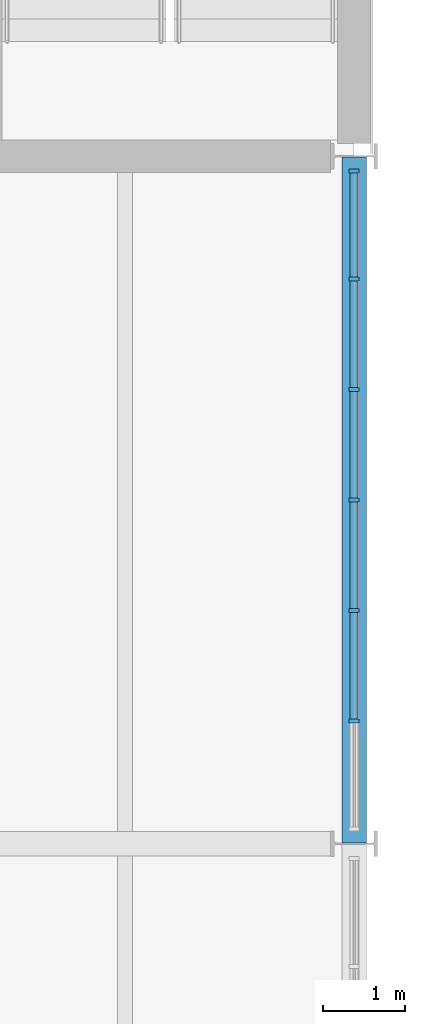
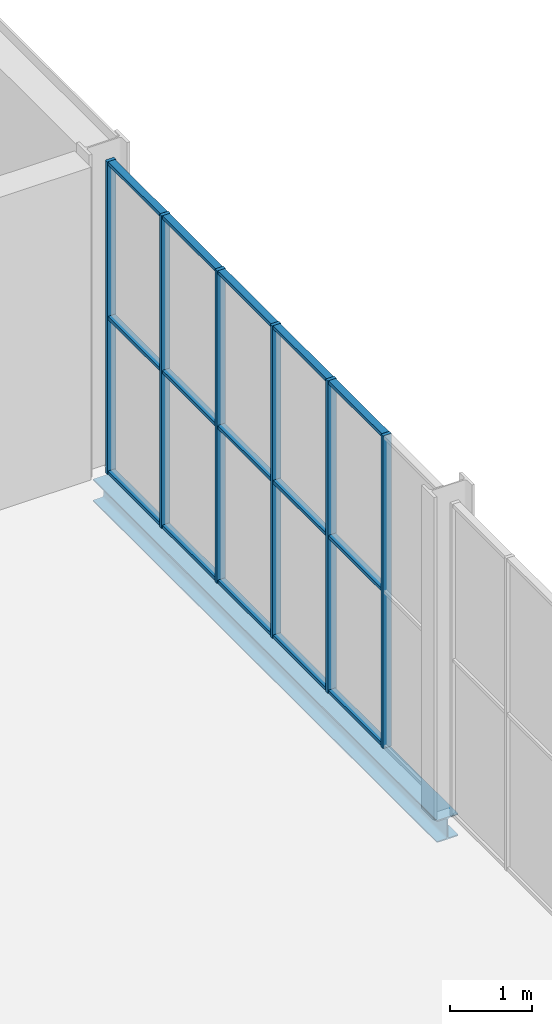
# One storey, part 30 of 61: 21 members, 1 beam, 1 element without a shape of its own.
"""IFC4 building model written with IfcOpenShell, lengths in metres."""

import ifcopenshell
import ifcopenshell.guid

model = None  # the IFC model being written
_history = None  # IfcOwnerHistory: only IFC2X3 demands one
_inside = {}  # id of a spatial element -> (the spatial element, [elements in it])
_under = {}  # id of a project, library or spatial element -> (it, [spatial elements below it])
_declared = {}  # id of a project -> (the project, [libraries it declares])
_typed = {}  # id of a type object -> (the type object, [elements of that type])
_made_of = {}  # id of a material, layer set ... -> (it, [elements and type objects made of it])


def new_model(schema):
    """Start an empty IFC model of exactly this schema.

    Asked for "IFC4X3", IfcOpenShell would pick the latest addendum, in which some entities
    have other attributes; the version numbers below select the first issue.
    IFC2X3 requires an IfcOwnerHistory on every rooted entity: one is made here for all.
    """
    global model, _history
    if schema == "IFC4X3":
        model = ifcopenshell.file(schema_version=(4, 3, 0, 0))
    else:
        model = ifcopenshell.file(schema=schema)
    _inside.clear()
    _under.clear()
    _declared.clear()
    _typed.clear()
    _made_of.clear()
    _history = None
    if model.schema == "IFC2X3":
        org = make("IfcOrganization", Name="unknown")
        user = make(
            "IfcPersonAndOrganization",
            ThePerson=make("IfcPerson", FamilyName="unknown"),
            TheOrganization=org,
        )
        app = make(
            "IfcApplication",
            ApplicationDeveloper=org,
            Version="unknown",
            ApplicationFullName="unknown",
            ApplicationIdentifier="unknown",
        )
        _history = make(
            "IfcOwnerHistory",
            OwningUser=user,
            OwningApplication=app,
            ChangeAction="ADDED",
            CreationDate=0,
        )
    return model


def make(cls, **values):
    """One entity of the class cls with the attributes given. An attribute that is None is left unset."""
    return model.create_entity(
        cls, **{name: value for name, value in values.items() if value is not None}
    )


def rooted(cls, **values):
    """An entity with a GlobalId (a new one), such as an element, a storey or a relation."""
    return make(cls, GlobalId=ifcopenshell.guid.new(), OwnerHistory=_history, **values)


def si_unit(unit_type, name, prefix=None):
    """IfcSIUnit, for example si_unit("LENGTHUNIT", "METRE", prefix="MILLI")."""
    return make("IfcSIUnit", UnitType=unit_type, Prefix=prefix, Name=name)


def assignment(units):
    """IfcUnitAssignment: the units of a project."""
    return None if units is None else make("IfcUnitAssignment", Units=units)


def point(xyz):
    """IfcCartesianPoint."""
    return None if xyz is None else make("IfcCartesianPoint", Coordinates=xyz)


def direction(xyz):
    """IfcDirection."""
    return None if xyz is None else make("IfcDirection", DirectionRatios=xyz)


def frame(location, z_axis=None, x_axis=None):
    """IfcAxis2Placement3D, a coordinate frame: its origin and axes. An axis left out is left unset."""
    return make(
        "IfcAxis2Placement3D",
        Location=point(location),
        Axis=direction(z_axis),
        RefDirection=direction(x_axis),
    )


def frame_2d(location, x_axis=None):
    """IfcAxis2Placement2D, a coordinate frame in the plane: its origin and x axis."""
    return make(
        "IfcAxis2Placement2D", Location=point(location), RefDirection=direction(x_axis)
    )


def origin():
    """The frame at (0, 0, 0) with its axes left unset."""
    return frame((0.0, 0.0, 0.0))


def origin_2d():
    """The frame at (0, 0) in the plane with its x axis left unset."""
    return frame_2d((0.0, 0.0))


def place(relative_to, where):
    """IfcLocalPlacement: puts the frame where relative to a parent placement (None: the world)."""
    return make(
        "IfcLocalPlacement", PlacementRelTo=relative_to, RelativePlacement=where
    )


def context(
    kind, dimensions, precision=None, world=None, true_north=None, identifier=None
):
    """IfcGeometricRepresentationContext, for example the 3D "Model" context."""
    return make(
        "IfcGeometricRepresentationContext",
        ContextIdentifier=identifier,
        ContextType=kind,
        CoordinateSpaceDimension=dimensions,
        Precision=precision,
        WorldCoordinateSystem=world,
        TrueNorth=true_north,
    )


def subcontext(parent, identifier, kind, view, scale=None):
    """IfcGeometricRepresentationSubContext, for example "Body" below "Model"."""
    return make(
        "IfcGeometricRepresentationSubContext",
        ContextIdentifier=identifier,
        ContextType=kind,
        ParentContext=parent,
        TargetScale=scale,
        TargetView=view,
    )


def project(units=None, contexts=None):
    """IfcProject with its units and contexts."""
    return rooted(
        "IfcProject",
        Name="project",
        RepresentationContexts=contexts,
        UnitsInContext=assignment(units),
    )


def spatial(cls, under=None, at=None, **own):
    """A site, building, storey or space (cls), placed at a placement, below another one or the project."""
    s = rooted(cls, ObjectPlacement=at, **own)
    if under is not None:
        _under.setdefault(under.id(), (under, []))[1].append(s)
    return s


def profile(cls, at=None, kind="AREA", **sizes):
    """A parametric profile (cls). Its sizes go by their IFC names, for example OverallWidth=200.0."""
    return make(cls, ProfileType=kind, Position=at, **sizes)


def rectangle(**sizes):
    """IfcRectangleProfileDef."""
    return profile("IfcRectangleProfileDef", **sizes)


def i_section(**sizes):
    """IfcIShapeProfileDef."""
    return profile("IfcIShapeProfileDef", **sizes)


def extrude(swept, where, along, depth):
    """IfcExtrudedAreaSolid: the profile swept, set in the frame where, extruded along a direction by depth."""
    return make(
        "IfcExtrudedAreaSolid",
        SweptArea=swept,
        Position=where,
        ExtrudedDirection=direction(along),
        Depth=depth,
    )


def shape(context_of_items, identifier, shape_type, items):
    """IfcShapeRepresentation: the items that make up one representation, for example the "Body"."""
    return make(
        "IfcShapeRepresentation",
        ContextOfItems=context_of_items,
        RepresentationIdentifier=identifier,
        RepresentationType=shape_type,
        Items=items,
    )


def material(Name=None, Category=None):
    """IfcMaterial."""
    return make("IfcMaterial", Name=Name, Category=Category)


def layer(
    of_material, thickness, ventilated=None, Name=None, Category=None, Priority=None
):
    """IfcMaterialLayer: one layer of a wall or slab, of a material (None: an air gap)."""
    return make(
        "IfcMaterialLayer",
        Material=of_material,
        LayerThickness=thickness,
        IsVentilated=ventilated,
        Name=Name,
        Category=Category,
        Priority=Priority,
    )


def layer_set(layers, Name=None):
    """IfcMaterialLayerSet."""
    return make("IfcMaterialLayerSet", MaterialLayers=layers, LayerSetName=Name)


def material_profile(
    of_material, cross_section, Name=None, Category=None, Priority=None
):
    """IfcMaterialProfile: a cross section and its material."""
    return make(
        "IfcMaterialProfile",
        Name=Name,
        Material=of_material,
        Profile=cross_section,
        Priority=Priority,
        Category=Category,
    )


def profile_set(profiles, Name=None, composite=None):
    """IfcMaterialProfileSet."""
    return make(
        "IfcMaterialProfileSet",
        Name=Name,
        MaterialProfiles=profiles,
        CompositeProfile=composite,
    )


def made_of(thing, what):
    """Note that an element or type object is made of a material, layer set ...; save() writes the relation."""
    if what is not None:
        _made_of.setdefault(what.id(), (what, []))[1].append(thing)
    return thing


def type_object(cls, material=None, **own):
    """A type object (cls), such as IfcWallType, which elements share."""
    return made_of(rooted(cls, **own), material)


def element(
    cls,
    number,
    at=None,
    inside=None,
    cuts=None,
    type_object=None,
    material=None,
    context=None,
    identifier="Body",
    shape_type=None,
    held_by="IfcProductDefinitionShape",
    body=None,
    shapes=None,
    **own,
):
    """One element of the class cls, such as IfcWall. Its Tag is "e" and its number.

    at: its placement. inside: the storey or other place that contains it. cuts: it is an
    opening in that element (IfcRelVoidsElement). A single representation is given by context,
    identifier, shape_type and body (its items); several are given by shapes. held_by: the class
    of the entity that holds the representations. save() writes the other relations.
    """
    e = rooted(cls, Tag="e%d" % number, ObjectPlacement=at, **own)
    if body is not None:
        shapes = [shape(context, identifier, shape_type, body)]
    if shapes is not None:
        e.Representation = make(held_by, Representations=shapes)
    if inside is not None:
        _inside.setdefault(inside.id(), (inside, []))[1].append(e)
    if cuts is not None:
        rooted(
            "IfcRelVoidsElement", RelatingBuildingElement=cuts, RelatedOpeningElement=e
        )
    if type_object is not None:
        _typed.setdefault(type_object.id(), (type_object, []))[1].append(e)
    return made_of(e, material)


def aggregate(whole, parts):
    """IfcRelAggregates: a whole, such as a stair, and the parts it consists of."""
    return rooted("IfcRelAggregates", RelatingObject=whole, RelatedObjects=parts)


def save(model, path):
    """Write the relations noted so far, then the file.

    IfcRelAggregates (storeys below a building ...), IfcRelContainedInSpatialStructure (elements
    in a storey), IfcRelDefinesByType, IfcRelAssociatesMaterial and IfcRelDeclares: one each for
    every whole, place, type object, material and project.
    """
    for whole, parts in _under.values():
        aggregate(whole, parts)
    for where, things in _inside.values():
        rooted(
            "IfcRelContainedInSpatialStructure",
            RelatedElements=things,
            RelatingStructure=where,
        )
    for kind, things in _typed.values():
        rooted("IfcRelDefinesByType", RelatedObjects=things, RelatingType=kind)
    for what, things in _made_of.values():
        rooted("IfcRelAssociatesMaterial", RelatedObjects=things, RelatingMaterial=what)
    for by, libraries in _declared.values():
        rooted("IfcRelDeclares", RelatingContext=by, RelatedDefinitions=libraries)
    model.write(path)


model = new_model("IFC4")

# Units and contexts
model_context = context("Model", 3, precision=1e-05, world=origin(), true_north=direction((0.0, 1.0)))
body_context = subcontext(model_context, "Body", "Model", "MODEL_VIEW")
ifc_project = project(units=[si_unit("LENGTHUNIT", "METRE"), si_unit("AREAUNIT", "SQUARE_METRE"), si_unit("VOLUMEUNIT", "CUBIC_METRE"), si_unit("PLANEANGLEUNIT", "RADIAN"), si_unit("MASSUNIT", "GRAM", prefix="KILO")], contexts=[model_context])

# Site, building, storey
site_placement = place(None, origin())
site = spatial("IfcSite", under=ifc_project, at=site_placement, CompositionType="ELEMENT")
building_placement = place(site_placement, origin())
building = spatial("IfcBuilding", under=site, at=building_placement, Name="Galleria Vessillo Department Store", CompositionType="ELEMENT")
storey_placement = place(building_placement, frame((0.0, 0.0, 11.39990234375)))
storey = spatial("IfcBuildingStorey", under=building, at=storey_placement, Name="L02", CompositionType="ELEMENT", Elevation=11.39990234375)

# Curtain wall, members
ifc_material_1 = material(Name="Aluminium and glass curtain wall", Category="aluminium")
ifc_layer = layer(ifc_material_1, 0.1201171875)
ifc_layer_set = layer_set([ifc_layer], Name="Aluminium and glass curtain wall")
curtain_wall_type = type_object("IfcCurtainWallType", Name="Shopfront curtain wall CW3 1400 module", PredefinedType="NOTDEFINED", material=ifc_layer_set)
curtain_wall_placement = place(storey_placement, origin())
curtain_wall = element("IfcCurtainWall", 1, at=curtain_wall_placement, inside=storey, type_object=curtain_wall_type, Name="Shopfront curtain wall CW3 1400 module SE-N-L02-02", PredefinedType="NOTDEFINED")
ifc_material_2 = material(Name="Aluminium alloy 6063 T6", Category="aluminium")
ifc_material_profile_1 = material_profile(ifc_material_2, rectangle(XDim=0.1201171875, YDim=0.050048828125, at=origin_2d()), Name="AL 50x120")
ifc_profile_set_1 = profile_set([ifc_material_profile_1], Name="Aluminium alloy 6063 T6")
member_type_1 = type_object("IfcMemberType", Name="Aluminium mullion 50 x 120", PredefinedType="MULLION", material=ifc_profile_set_1)
member_1_placement = place(storey_placement, frame((117.60009765625, 47.701904296875, 0.0), z_axis=(0.0, 0.0, 1.0), x_axis=(-1.0, 0.0, 0.0)))
member_1 = element("IfcMember", 2, at=member_1_placement, type_object=member_type_1, Name="CW3 mullion 2", PredefinedType="MULLION", context=body_context, shape_type="SweptSolid", body=[
    extrude(rectangle(XDim=0.1201171875, YDim=0.050048828125, at=origin_2d()), origin(), (0.0, 0.0, 1.0), 4.650146484375),
])
member_2_placement = place(storey_placement, frame((117.60009765625, 49.051025390625, 0.0), z_axis=(0.0, 0.0, 1.0), x_axis=(-1.0, 0.0, 0.0)))
member_2 = element("IfcMember", 3, at=member_2_placement, type_object=member_type_1, Name="CW3 mullion 3", PredefinedType="MULLION", context=body_context, shape_type="SweptSolid", body=[
    extrude(rectangle(XDim=0.1201171875, YDim=0.050048828125, at=origin_2d()), origin(), (0.0, 0.0, 1.0), 4.650146484375),
])
member_3_placement = place(storey_placement, frame((117.60009765625, 50.39990234375, 0.0), z_axis=(0.0, 0.0, 1.0), x_axis=(-1.0, 0.0, 0.0)))
member_3 = element("IfcMember", 4, at=member_3_placement, type_object=member_type_1, Name="CW3 mullion 4", PredefinedType="MULLION", context=body_context, shape_type="SweptSolid", body=[
    extrude(rectangle(XDim=0.1201171875, YDim=0.050048828125, at=origin_2d()), origin(), (0.0, 0.0, 1.0), 4.650146484375),
])
member_4_placement = place(storey_placement, frame((117.60009765625, 51.7490234375, 0.0), z_axis=(0.0, 0.0, 1.0), x_axis=(-1.0, 0.0, 0.0)))
member_4 = element("IfcMember", 5, at=member_4_placement, type_object=member_type_1, Name="CW3 mullion 5", PredefinedType="MULLION", context=body_context, shape_type="SweptSolid", body=[
    extrude(rectangle(XDim=0.1201171875, YDim=0.050048828125, at=origin_2d()), origin(), (0.0, 0.0, 1.0), 4.650146484375),
])
member_5_placement = place(storey_placement, frame((117.60009765625, 53.09814453125, 0.0), z_axis=(0.0, 0.0, 1.0), x_axis=(-1.0, 0.0, 0.0)))
member_5 = element("IfcMember", 6, at=member_5_placement, type_object=member_type_1, Name="CW3 mullion 6", PredefinedType="MULLION", context=body_context, shape_type="SweptSolid", body=[
    extrude(rectangle(XDim=0.1201171875, YDim=0.050048828125, at=origin_2d()), origin(), (0.0, 0.0, 1.0), 4.650146484375),
])
member_6_placement = place(storey_placement, frame((117.60009765625, 54.422119140625, 0.0), z_axis=(0.0, 0.0, 1.0), x_axis=(-1.0, 0.0, 0.0)))
member_6 = element("IfcMember", 7, at=member_6_placement, type_object=member_type_1, Name="CW3 mullion 7", PredefinedType="MULLION", context=body_context, shape_type="SweptSolid", body=[
    extrude(rectangle(XDim=0.1201171875, YDim=0.050048828125, at=origin_2d()), origin(), (0.0, 0.0, 1.0), 4.650146484375),
])
ifc_material_3 = material(Name="Aluminium alloy 6063 T6", Category="aluminium")
ifc_material_profile_2 = material_profile(ifc_material_3, rectangle(XDim=0.10009765625, YDim=0.050048828125, at=origin_2d()), Name="AL 50x100")
ifc_profile_set_2 = profile_set([ifc_material_profile_2], Name="Aluminium alloy 6063 T6")
member_type_2 = type_object("IfcMemberType", Name="Aluminium transom 50 x 100", PredefinedType="USERDEFINED", material=ifc_profile_set_2)
member_7_placement = place(storey_placement, frame((117.60009765625, 47.72705078125, 0.02490234375), z_axis=(0.0, 1.0, 0.0), x_axis=(-1.0, 0.0, 0.0)))
member_7 = element("IfcMember", 8, at=member_7_placement, type_object=member_type_2, Name="CW3 transom 2.1", ObjectType="TRANSOM", PredefinedType="USERDEFINED", context=body_context, shape_type="SweptSolid", body=[
    extrude(rectangle(XDim=0.10009765625, YDim=0.050048828125, at=origin_2d()), origin(), (0.0, 0.0, 1.0), 1.299072265625),
])
member_8_placement = place(storey_placement, frame((117.60009765625, 47.72705078125, 2.3251953125), z_axis=(0.0, 1.0, 0.0), x_axis=(-1.0, 0.0, 0.0)))
member_8 = element("IfcMember", 9, at=member_8_placement, type_object=member_type_2, Name="CW3 transom 2.2", ObjectType="TRANSOM", PredefinedType="USERDEFINED", context=body_context, shape_type="SweptSolid", body=[
    extrude(rectangle(XDim=0.10009765625, YDim=0.050048828125, at=origin_2d()), origin(), (0.0, 0.0, 1.0), 1.299072265625),
])
member_9_placement = place(storey_placement, frame((117.60009765625, 47.72705078125, 4.625244140625), z_axis=(0.0, 1.0, 0.0), x_axis=(-1.0, 0.0, 0.0)))
member_9 = element("IfcMember", 10, at=member_9_placement, type_object=member_type_2, Name="CW3 transom 2.3", ObjectType="TRANSOM", PredefinedType="USERDEFINED", context=body_context, shape_type="SweptSolid", body=[
    extrude(rectangle(XDim=0.10009765625, YDim=0.050048828125, at=origin_2d()), origin(), (0.0, 0.0, 1.0), 1.299072265625),
])
member_10_placement = place(storey_placement, frame((117.60009765625, 49.075927734375, 0.02490234375), z_axis=(0.0, 1.0, 0.0), x_axis=(-1.0, 0.0, 0.0)))
member_10 = element("IfcMember", 11, at=member_10_placement, type_object=member_type_2, Name="CW3 transom 3.1", ObjectType="TRANSOM", PredefinedType="USERDEFINED", context=body_context, shape_type="SweptSolid", body=[
    extrude(rectangle(XDim=0.10009765625, YDim=0.050048828125, at=origin_2d()), origin(), (0.0, 0.0, 1.0), 1.299072265625),
])
member_11_placement = place(storey_placement, frame((117.60009765625, 49.075927734375, 2.3251953125), z_axis=(0.0, 1.0, 0.0), x_axis=(-1.0, 0.0, 0.0)))
member_11 = element("IfcMember", 12, at=member_11_placement, type_object=member_type_2, Name="CW3 transom 3.2", ObjectType="TRANSOM", PredefinedType="USERDEFINED", context=body_context, shape_type="SweptSolid", body=[
    extrude(rectangle(XDim=0.10009765625, YDim=0.050048828125, at=origin_2d()), origin(), (0.0, 0.0, 1.0), 1.299072265625),
])
member_12_placement = place(storey_placement, frame((117.60009765625, 49.075927734375, 4.625244140625), z_axis=(0.0, 1.0, 0.0), x_axis=(-1.0, 0.0, 0.0)))
member_12 = element("IfcMember", 13, at=member_12_placement, type_object=member_type_2, Name="CW3 transom 3.3", ObjectType="TRANSOM", PredefinedType="USERDEFINED", context=body_context, shape_type="SweptSolid", body=[
    extrude(rectangle(XDim=0.10009765625, YDim=0.050048828125, at=origin_2d()), origin(), (0.0, 0.0, 1.0), 1.299072265625),
])
member_13_placement = place(storey_placement, frame((117.60009765625, 50.425048828125, 0.02490234375), z_axis=(0.0, 1.0, 0.0), x_axis=(-1.0, 0.0, 0.0)))
member_13 = element("IfcMember", 14, at=member_13_placement, type_object=member_type_2, Name="CW3 transom 4.1", ObjectType="TRANSOM", PredefinedType="USERDEFINED", context=body_context, shape_type="SweptSolid", body=[
    extrude(rectangle(XDim=0.10009765625, YDim=0.050048828125, at=origin_2d()), origin(), (0.0, 0.0, 1.0), 1.299072265625),
])
member_14_placement = place(storey_placement, frame((117.60009765625, 50.425048828125, 2.3251953125), z_axis=(0.0, 1.0, 0.0), x_axis=(-1.0, 0.0, 0.0)))
member_14 = element("IfcMember", 15, at=member_14_placement, type_object=member_type_2, Name="CW3 transom 4.2", ObjectType="TRANSOM", PredefinedType="USERDEFINED", context=body_context, shape_type="SweptSolid", body=[
    extrude(rectangle(XDim=0.10009765625, YDim=0.050048828125, at=origin_2d()), origin(), (0.0, 0.0, 1.0), 1.299072265625),
])
member_15_placement = place(storey_placement, frame((117.60009765625, 50.425048828125, 4.625244140625), z_axis=(0.0, 1.0, 0.0), x_axis=(-1.0, 0.0, 0.0)))
member_15 = element("IfcMember", 16, at=member_15_placement, type_object=member_type_2, Name="CW3 transom 4.3", ObjectType="TRANSOM", PredefinedType="USERDEFINED", context=body_context, shape_type="SweptSolid", body=[
    extrude(rectangle(XDim=0.10009765625, YDim=0.050048828125, at=origin_2d()), origin(), (0.0, 0.0, 1.0), 1.299072265625),
])
member_16_placement = place(storey_placement, frame((117.60009765625, 51.77392578125, 0.02490234375), z_axis=(0.0, 1.0, 0.0), x_axis=(-1.0, 0.0, 0.0)))
member_16 = element("IfcMember", 17, at=member_16_placement, type_object=member_type_2, Name="CW3 transom 5.1", ObjectType="TRANSOM", PredefinedType="USERDEFINED", context=body_context, shape_type="SweptSolid", body=[
    extrude(rectangle(XDim=0.10009765625, YDim=0.050048828125, at=origin_2d()), origin(), (0.0, 0.0, 1.0), 1.299072265625),
])
member_17_placement = place(storey_placement, frame((117.60009765625, 51.77392578125, 2.3251953125), z_axis=(0.0, 1.0, 0.0), x_axis=(-1.0, 0.0, 0.0)))
member_17 = element("IfcMember", 18, at=member_17_placement, type_object=member_type_2, Name="CW3 transom 5.2", ObjectType="TRANSOM", PredefinedType="USERDEFINED", context=body_context, shape_type="SweptSolid", body=[
    extrude(rectangle(XDim=0.10009765625, YDim=0.050048828125, at=origin_2d()), origin(), (0.0, 0.0, 1.0), 1.299072265625),
])
member_18_placement = place(storey_placement, frame((117.60009765625, 51.77392578125, 4.625244140625), z_axis=(0.0, 1.0, 0.0), x_axis=(-1.0, 0.0, 0.0)))
member_18 = element("IfcMember", 19, at=member_18_placement, type_object=member_type_2, Name="CW3 transom 5.3", ObjectType="TRANSOM", PredefinedType="USERDEFINED", context=body_context, shape_type="SweptSolid", body=[
    extrude(rectangle(XDim=0.10009765625, YDim=0.050048828125, at=origin_2d()), origin(), (0.0, 0.0, 1.0), 1.299072265625),
])
member_19_placement = place(storey_placement, frame((117.60009765625, 53.123046875, 0.02490234375), z_axis=(0.0, 1.0, 0.0), x_axis=(-1.0, 0.0, 0.0)))
member_19 = element("IfcMember", 20, at=member_19_placement, type_object=member_type_2, Name="CW3 transom 6.1", ObjectType="TRANSOM", PredefinedType="USERDEFINED", context=body_context, shape_type="SweptSolid", body=[
    extrude(rectangle(XDim=0.10009765625, YDim=0.050048828125, at=origin_2d()), origin(), (0.0, 0.0, 1.0), 1.27392578125),
])
member_20_placement = place(storey_placement, frame((117.60009765625, 53.123046875, 2.3251953125), z_axis=(0.0, 1.0, 0.0), x_axis=(-1.0, 0.0, 0.0)))
member_20 = element("IfcMember", 21, at=member_20_placement, type_object=member_type_2, Name="CW3 transom 6.2", ObjectType="TRANSOM", PredefinedType="USERDEFINED", context=body_context, shape_type="SweptSolid", body=[
    extrude(rectangle(XDim=0.10009765625, YDim=0.050048828125, at=origin_2d()), origin(), (0.0, 0.0, 1.0), 1.27392578125),
])
member_21_placement = place(storey_placement, frame((117.60009765625, 53.123046875, 4.625244140625), z_axis=(0.0, 1.0, 0.0), x_axis=(-1.0, 0.0, 0.0)))
member_21 = element("IfcMember", 22, at=member_21_placement, type_object=member_type_2, Name="CW3 transom 6.3", ObjectType="TRANSOM", PredefinedType="USERDEFINED", context=body_context, shape_type="SweptSolid", body=[
    extrude(rectangle(XDim=0.10009765625, YDim=0.050048828125, at=origin_2d()), origin(), (0.0, 0.0, 1.0), 1.27392578125),
])
aggregate(curtain_wall, [member_1, member_2, member_3, member_4, member_5, member_6, member_7, member_8, member_9, member_10, member_11, member_12, member_13, member_14, member_15, member_16, member_17, member_18, member_19, member_20, member_21])

# Beam
ifc_material_4 = material(Name="Steel S355 J2", Category="steel")
ifc_material_profile_3 = material_profile(ifc_material_4, i_section(OverallWidth=0.300048828125, OverallDepth=0.330078125, WebThickness=0.009521484375, FlangeThickness=0.0166015625, FilletRadius=0.027099609375, at=origin_2d()), Name="HEA 340")
ifc_profile_set_3 = profile_set([ifc_material_profile_3], Name="Steel S355 J2")
beam_type = type_object("IfcBeamType", Name="Spandrel beam HEA 340", PredefinedType="SPANDREL", material=ifc_profile_set_3)
beam_placement = place(storey_placement, frame((117.60009765625, 46.210693359375, -0.31494140625), z_axis=(0.0, 1.0, 0.0), x_axis=(-1.0, 0.0, 0.0)))
element("IfcBeam", 23, at=beam_placement, inside=storey, type_object=beam_type, Name="S-BM-L02-SP-y117600-46211", PredefinedType="SPANDREL", context=body_context, shape_type="SweptSolid", body=[
    extrude(i_section(OverallWidth=0.300048828125, OverallDepth=0.330078125, WebThickness=0.009521484375, FlangeThickness=0.0166015625, FilletRadius=0.027099609375, at=origin_2d()), origin(), (0.0, 0.0, 1.0), 8.378662109375),
])

save(model, "model.ifc")
